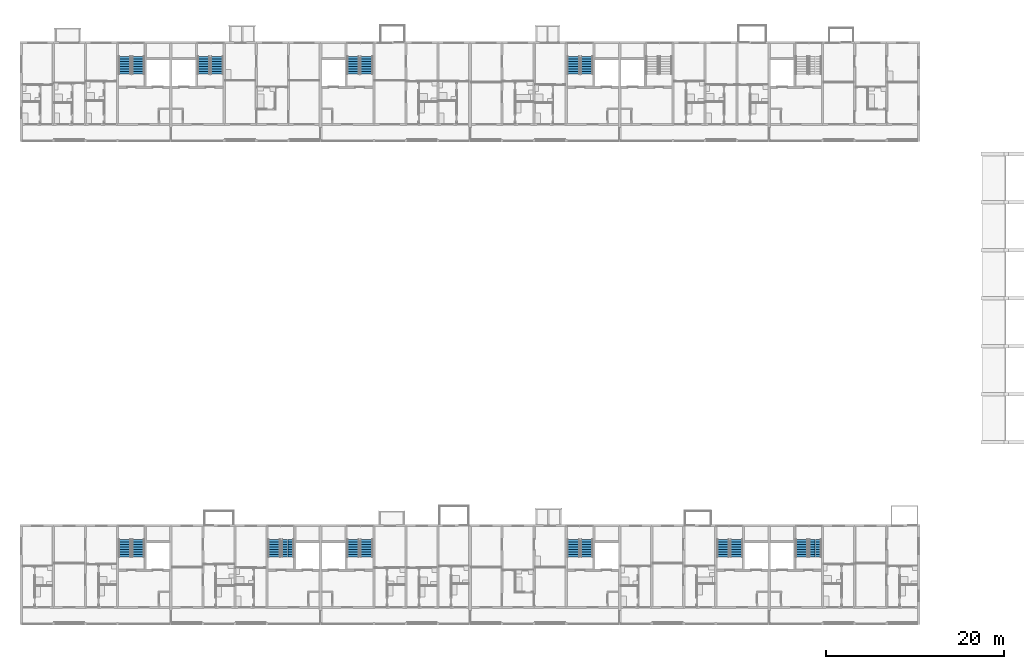
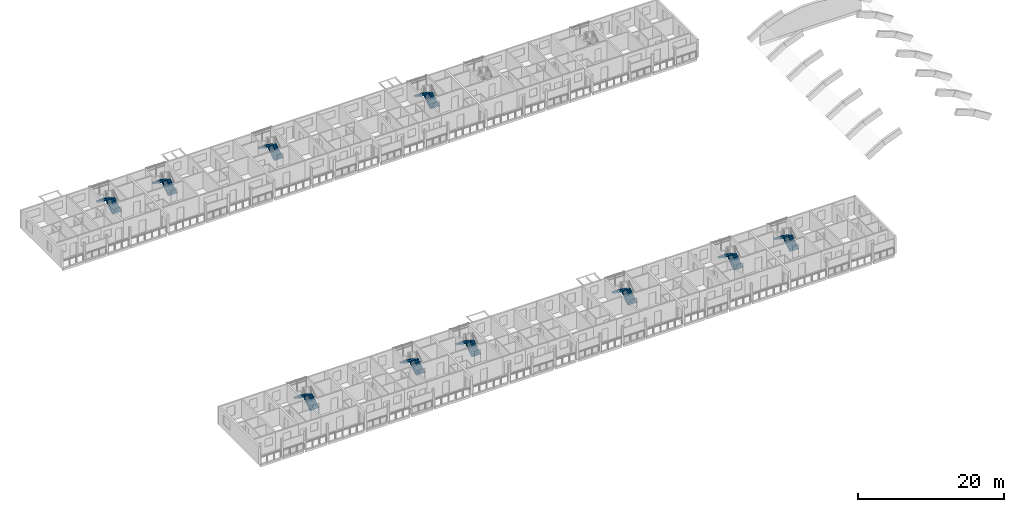
# One storey, part 60 of 99: 20 stair flights, 10 elements without a shape of their own.
"""IFC4 building model written with IfcOpenShell, lengths in metres."""

from ifc_helpers import new_model, si_unit, direction, frame, origin, place, context, subcontext, project, spatial, polyline, outline, extrude, material, type_object, element, aggregate, save


model = new_model("IFC4")

# Units and contexts
model_context = context("Model", 3, precision=1e-05, world=origin(), true_north=direction((0.0, 1.0)))
body_context = subcontext(model_context, "Body", "Model", "MODEL_VIEW")
ifc_project = project(units=[si_unit("LENGTHUNIT", "METRE"), si_unit("AREAUNIT", "SQUARE_METRE"), si_unit("VOLUMEUNIT", "CUBIC_METRE"), si_unit("PLANEANGLEUNIT", "RADIAN"), si_unit("MASSUNIT", "GRAM", prefix="KILO")], contexts=[model_context])

# Site, building, storey
site_placement = place(None, origin())
site = spatial("IfcSite", under=ifc_project, at=site_placement, CompositionType="ELEMENT")
building_placement = place(site_placement, origin())
building = spatial("IfcBuilding", under=site, at=building_placement, Name="Ridgestep Commons", CompositionType="ELEMENT")
storey_placement = place(building_placement, frame((0.0, 0.0, 15.0)))
storey = spatial("IfcBuildingStorey", under=building, at=storey_placement, Name="L05", CompositionType="ELEMENT", Elevation=15.0)

# Stair, stair flights
ifc_material_1 = material(Name="Precast concrete C40/50", Category="concrete")
stair_type = type_object("IfcStairType", Name="Escape stair 1400", PredefinedType="HALF_TURN_STAIR", material=ifc_material_1)
stair_1_placement = place(storey_placement, origin())
stair_1 = element("IfcStair", 1, at=stair_1_placement, inside=storey, type_object=stair_type, Name="L05 Escape stair A1C", PredefinedType="HALF_TURN_STAIR")
ifc_material_2 = material(Name="Precast concrete C40/50", Category="concrete")
stair_flight_type = type_object("IfcStairFlightType", Name="Stair flight 1400", PredefinedType="STRAIGHT", material=ifc_material_2)
stair_flight_1_placement = place(storey_placement, frame((25.125, 19.35009765625, 0.0), z_axis=(0.0, 0.0, 1.0), x_axis=(0.0, 1.0, 0.0)))
stair_flight_1 = element("IfcStairFlight", 2, at=stair_flight_1_placement, type_object=stair_flight_type, Name="A1C flight 1", NumberOfRisers=8, NumberOfTreads=7, PredefinedType="STRAIGHT", RiserHeight=0.1875, TreadLength=0.28, context=body_context, shape_type="SweptSolid", body=[
    extrude(outline(polyline([(0.0, 0.0), (0.0, 0.1875), (0.280029296875, 0.1875), (0.280029296875, 0.375), (0.56005859375, 0.375), (0.56005859375, 0.5625), (0.840087890625, 0.5625), (0.840087890625, 0.75), (1.1201171875, 0.75), (1.1201171875, 0.9375), (1.39990234375, 0.9375), (1.39990234375, 1.125), (1.679931640625, 1.125), (1.679931640625, 1.3125), (1.9599609375, 1.3125), (1.9599609375, 1.5), (1.9599609375, 1.132080078125), (0.26953125, 0.0), (0.0, 0.0)])), frame((0.0, 0.699951171875, 0.0), z_axis=(0.0, -1.0, 0.0), x_axis=(1.0, 0.0, 0.0)), (0.0, 0.0, 1.0), 0.695068359375),
    extrude(outline(polyline([(0.0, 0.0), (0.0, 0.1875), (0.280029296875, 0.1875), (0.280029296875, 0.375), (0.56005859375, 0.375), (0.56005859375, 0.5625), (0.840087890625, 0.5625), (0.840087890625, 0.75), (1.1201171875, 0.75), (1.1201171875, 0.9375), (1.39990234375, 0.9375), (1.39990234375, 1.125), (1.679931640625, 1.125), (1.679931640625, 1.3125), (1.9599609375, 1.3125), (1.9599609375, 1.5), (1.9599609375, 1.132080078125), (0.26953125, 0.0), (0.0, 0.0)])), frame((0.0, -0.0048828125, 0.0), z_axis=(0.0, -1.0, 0.0), x_axis=(1.0, 0.0, 0.0)), (0.0, 0.0, 1.0), 0.695068359375),
])
stair_flight_2_placement = place(storey_placement, frame((23.625, 21.31005859375, 1.5), z_axis=(0.0, 0.0, 1.0), x_axis=(0.0, -1.0, 0.0)))
stair_flight_2 = element("IfcStairFlight", 3, at=stair_flight_2_placement, type_object=stair_flight_type, Name="A1C flight 2", NumberOfRisers=8, NumberOfTreads=7, PredefinedType="STRAIGHT", RiserHeight=0.1875, TreadLength=0.28, context=body_context, shape_type="SweptSolid", body=[
    extrude(outline(polyline([(0.0, 0.0), (0.0, 0.1875), (0.280029296875, 0.1875), (0.280029296875, 0.375), (0.56005859375, 0.375), (0.56005859375, 0.5625), (0.840087890625, 0.5625), (0.840087890625, 0.75), (1.1201171875, 0.75), (1.1201171875, 0.9375), (1.39990234375, 0.9375), (1.39990234375, 1.125), (1.679931640625, 1.125), (1.679931640625, 1.3125), (1.9599609375, 1.3125), (1.9599609375, 1.5), (1.9599609375, 1.132080078125), (0.26953125, 0.0), (0.0, 0.0)])), frame((0.0, 0.699951171875, 0.0), z_axis=(0.0, -1.0, 0.0), x_axis=(1.0, 0.0, 0.0)), (0.0, 0.0, 1.0), 0.695068359375),
    extrude(outline(polyline([(0.0, 0.0), (0.0, 0.1875), (0.280029296875, 0.1875), (0.280029296875, 0.375), (0.56005859375, 0.375), (0.56005859375, 0.5625), (0.840087890625, 0.5625), (0.840087890625, 0.75), (1.1201171875, 0.75), (1.1201171875, 0.9375), (1.39990234375, 0.9375), (1.39990234375, 1.125), (1.679931640625, 1.125), (1.679931640625, 1.3125), (1.9599609375, 1.3125), (1.9599609375, 1.5), (1.9599609375, 1.132080078125), (0.26953125, 0.0), (0.0, 0.0)])), frame((0.0, -0.0048828125, 0.0), z_axis=(0.0, -1.0, 0.0), x_axis=(1.0, 0.0, 0.0)), (0.0, 0.0, 1.0), 0.695068359375),
])
aggregate(stair_1, [stair_flight_1, stair_flight_2])

stair_2_placement = place(storey_placement, origin())
stair_2 = element("IfcStair", 4, at=stair_2_placement, inside=storey, type_object=stair_type, Name="L05 Escape stair A2C", PredefinedType="HALF_TURN_STAIR")
stair_flight_3_placement = place(storey_placement, frame((41.925048828125, 19.35009765625, 0.0), z_axis=(0.0, 0.0, 1.0), x_axis=(0.0, 1.0, 0.0)))
stair_flight_3 = element("IfcStairFlight", 5, at=stair_flight_3_placement, type_object=stair_flight_type, Name="A2C flight 1", NumberOfRisers=8, NumberOfTreads=7, PredefinedType="STRAIGHT", RiserHeight=0.1875, TreadLength=0.28, context=body_context, shape_type="SweptSolid", body=[
    extrude(outline(polyline([(0.0, 0.0), (0.0, 0.1875), (0.280029296875, 0.1875), (0.280029296875, 0.375), (0.56005859375, 0.375), (0.56005859375, 0.5625), (0.840087890625, 0.5625), (0.840087890625, 0.75), (1.1201171875, 0.75), (1.1201171875, 0.9375), (1.39990234375, 0.9375), (1.39990234375, 1.125), (1.679931640625, 1.125), (1.679931640625, 1.3125), (1.9599609375, 1.3125), (1.9599609375, 1.5), (1.9599609375, 1.132080078125), (0.26953125, 0.0), (0.0, 0.0)])), frame((0.0, 0.699951171875, 0.0), z_axis=(0.0, -1.0, 0.0), x_axis=(1.0, 0.0, 0.0)), (0.0, 0.0, 1.0), 0.695068359375),
    extrude(outline(polyline([(0.0, 0.0), (0.0, 0.1875), (0.280029296875, 0.1875), (0.280029296875, 0.375), (0.56005859375, 0.375), (0.56005859375, 0.5625), (0.840087890625, 0.5625), (0.840087890625, 0.75), (1.1201171875, 0.75), (1.1201171875, 0.9375), (1.39990234375, 0.9375), (1.39990234375, 1.125), (1.679931640625, 1.125), (1.679931640625, 1.3125), (1.9599609375, 1.3125), (1.9599609375, 1.5), (1.9599609375, 1.132080078125), (0.26953125, 0.0), (0.0, 0.0)])), frame((0.0, -0.0048828125, 0.0), z_axis=(0.0, -1.0, 0.0), x_axis=(1.0, 0.0, 0.0)), (0.0, 0.0, 1.0), 0.695068359375),
])
stair_flight_4_placement = place(storey_placement, frame((40.425048828125, 21.31005859375, 1.5), z_axis=(0.0, 0.0, 1.0), x_axis=(0.0, -1.0, 0.0)))
stair_flight_4 = element("IfcStairFlight", 6, at=stair_flight_4_placement, type_object=stair_flight_type, Name="A2C flight 2", NumberOfRisers=8, NumberOfTreads=7, PredefinedType="STRAIGHT", RiserHeight=0.1875, TreadLength=0.28, context=body_context, shape_type="SweptSolid", body=[
    extrude(outline(polyline([(0.0, 0.0), (0.0, 0.1875), (0.280029296875, 0.1875), (0.280029296875, 0.375), (0.56005859375, 0.375), (0.56005859375, 0.5625), (0.840087890625, 0.5625), (0.840087890625, 0.75), (1.1201171875, 0.75), (1.1201171875, 0.9375), (1.39990234375, 0.9375), (1.39990234375, 1.125), (1.679931640625, 1.125), (1.679931640625, 1.3125), (1.9599609375, 1.3125), (1.9599609375, 1.5), (1.9599609375, 1.132080078125), (0.26953125, 0.0), (0.0, 0.0)])), frame((0.0, 0.699951171875, 0.0), z_axis=(0.0, -1.0, 0.0), x_axis=(1.0, 0.0, 0.0)), (0.0, 0.0, 1.0), 0.695068359375),
    extrude(outline(polyline([(0.0, 0.0), (0.0, 0.1875), (0.280029296875, 0.1875), (0.280029296875, 0.375), (0.56005859375, 0.375), (0.56005859375, 0.5625), (0.840087890625, 0.5625), (0.840087890625, 0.75), (1.1201171875, 0.75), (1.1201171875, 0.9375), (1.39990234375, 0.9375), (1.39990234375, 1.125), (1.679931640625, 1.125), (1.679931640625, 1.3125), (1.9599609375, 1.3125), (1.9599609375, 1.5), (1.9599609375, 1.132080078125), (0.26953125, 0.0), (0.0, 0.0)])), frame((0.0, -0.0048828125, 0.0), z_axis=(0.0, -1.0, 0.0), x_axis=(1.0, 0.0, 0.0)), (0.0, 0.0, 1.0), 0.695068359375),
])
aggregate(stair_2, [stair_flight_3, stair_flight_4])

stair_3_placement = place(storey_placement, origin())
stair_3 = element("IfcStair", 7, at=stair_3_placement, inside=storey, type_object=stair_type, Name="L05 Escape stair A3C", PredefinedType="HALF_TURN_STAIR")
stair_flight_5_placement = place(storey_placement, frame((50.77490234375, 19.35009765625, 0.0), z_axis=(0.0, 0.0, 1.0), x_axis=(0.0, 1.0, 0.0)))
stair_flight_5 = element("IfcStairFlight", 8, at=stair_flight_5_placement, type_object=stair_flight_type, Name="A3C flight 1", NumberOfRisers=8, NumberOfTreads=7, PredefinedType="STRAIGHT", RiserHeight=0.1875, TreadLength=0.28, context=body_context, shape_type="SweptSolid", body=[
    extrude(outline(polyline([(0.0, 0.0), (0.0, 0.1875), (0.280029296875, 0.1875), (0.280029296875, 0.375), (0.56005859375, 0.375), (0.56005859375, 0.5625), (0.840087890625, 0.5625), (0.840087890625, 0.75), (1.1201171875, 0.75), (1.1201171875, 0.9375), (1.39990234375, 0.9375), (1.39990234375, 1.125), (1.679931640625, 1.125), (1.679931640625, 1.3125), (1.9599609375, 1.3125), (1.9599609375, 1.5), (1.9599609375, 1.132080078125), (0.26953125, 0.0), (0.0, 0.0)])), frame((0.0, 0.699951171875, 0.0), z_axis=(0.0, -1.0, 0.0), x_axis=(1.0, 0.0, 0.0)), (0.0, 0.0, 1.0), 0.695068359375),
    extrude(outline(polyline([(0.0, 0.0), (0.0, 0.1875), (0.280029296875, 0.1875), (0.280029296875, 0.375), (0.56005859375, 0.375), (0.56005859375, 0.5625), (0.840087890625, 0.5625), (0.840087890625, 0.75), (1.1201171875, 0.75), (1.1201171875, 0.9375), (1.39990234375, 0.9375), (1.39990234375, 1.125), (1.679931640625, 1.125), (1.679931640625, 1.3125), (1.9599609375, 1.3125), (1.9599609375, 1.5), (1.9599609375, 1.132080078125), (0.26953125, 0.0), (0.0, 0.0)])), frame((0.0, -0.0048828125, 0.0), z_axis=(0.0, -1.0, 0.0), x_axis=(1.0, 0.0, 0.0)), (0.0, 0.0, 1.0), 0.695068359375),
])
stair_flight_6_placement = place(storey_placement, frame((49.27490234375, 21.31005859375, 1.5), z_axis=(0.0, 0.0, 1.0), x_axis=(0.0, -1.0, 0.0)))
stair_flight_6 = element("IfcStairFlight", 9, at=stair_flight_6_placement, type_object=stair_flight_type, Name="A3C flight 2", NumberOfRisers=8, NumberOfTreads=7, PredefinedType="STRAIGHT", RiserHeight=0.1875, TreadLength=0.28, context=body_context, shape_type="SweptSolid", body=[
    extrude(outline(polyline([(0.0, 0.0), (0.0, 0.1875), (0.280029296875, 0.1875), (0.280029296875, 0.375), (0.56005859375, 0.375), (0.56005859375, 0.5625), (0.840087890625, 0.5625), (0.840087890625, 0.75), (1.1201171875, 0.75), (1.1201171875, 0.9375), (1.39990234375, 0.9375), (1.39990234375, 1.125), (1.679931640625, 1.125), (1.679931640625, 1.3125), (1.9599609375, 1.3125), (1.9599609375, 1.5), (1.9599609375, 1.132080078125), (0.26953125, 0.0), (0.0, 0.0)])), frame((0.0, 0.699951171875, 0.0), z_axis=(0.0, -1.0, 0.0), x_axis=(1.0, 0.0, 0.0)), (0.0, 0.0, 1.0), 0.695068359375),
    extrude(outline(polyline([(0.0, 0.0), (0.0, 0.1875), (0.280029296875, 0.1875), (0.280029296875, 0.375), (0.56005859375, 0.375), (0.56005859375, 0.5625), (0.840087890625, 0.5625), (0.840087890625, 0.75), (1.1201171875, 0.75), (1.1201171875, 0.9375), (1.39990234375, 0.9375), (1.39990234375, 1.125), (1.679931640625, 1.125), (1.679931640625, 1.3125), (1.9599609375, 1.3125), (1.9599609375, 1.5), (1.9599609375, 1.132080078125), (0.26953125, 0.0), (0.0, 0.0)])), frame((0.0, -0.0048828125, 0.0), z_axis=(0.0, -1.0, 0.0), x_axis=(1.0, 0.0, 0.0)), (0.0, 0.0, 1.0), 0.695068359375),
])
aggregate(stair_3, [stair_flight_5, stair_flight_6])

stair_4_placement = place(storey_placement, origin())
stair_4 = element("IfcStair", 10, at=stair_4_placement, inside=storey, type_object=stair_type, Name="L05 Escape stair A4C", PredefinedType="HALF_TURN_STAIR")
stair_flight_7_placement = place(storey_placement, frame((75.52490234375, 19.35009765625, 0.0), z_axis=(0.0, 0.0, 1.0), x_axis=(0.0, 1.0, 0.0)))
stair_flight_7 = element("IfcStairFlight", 11, at=stair_flight_7_placement, type_object=stair_flight_type, Name="A4C flight 1", NumberOfRisers=8, NumberOfTreads=7, PredefinedType="STRAIGHT", RiserHeight=0.1875, TreadLength=0.28, context=body_context, shape_type="SweptSolid", body=[
    extrude(outline(polyline([(0.0, 0.0), (0.0, 0.1875), (0.280029296875, 0.1875), (0.280029296875, 0.375), (0.56005859375, 0.375), (0.56005859375, 0.5625), (0.840087890625, 0.5625), (0.840087890625, 0.75), (1.1201171875, 0.75), (1.1201171875, 0.9375), (1.39990234375, 0.9375), (1.39990234375, 1.125), (1.679931640625, 1.125), (1.679931640625, 1.3125), (1.9599609375, 1.3125), (1.9599609375, 1.5), (1.9599609375, 1.132080078125), (0.26953125, 0.0), (0.0, 0.0)])), frame((0.0, 0.699951171875, 0.0), z_axis=(0.0, -1.0, 0.0), x_axis=(1.0, 0.0, 0.0)), (0.0, 0.0, 1.0), 0.695068359375),
    extrude(outline(polyline([(0.0, 0.0), (0.0, 0.1875), (0.280029296875, 0.1875), (0.280029296875, 0.375), (0.56005859375, 0.375), (0.56005859375, 0.5625), (0.840087890625, 0.5625), (0.840087890625, 0.75), (1.1201171875, 0.75), (1.1201171875, 0.9375), (1.39990234375, 0.9375), (1.39990234375, 1.125), (1.679931640625, 1.125), (1.679931640625, 1.3125), (1.9599609375, 1.3125), (1.9599609375, 1.5), (1.9599609375, 1.132080078125), (0.26953125, 0.0), (0.0, 0.0)])), frame((0.0, -0.0048828125, 0.0), z_axis=(0.0, -1.0, 0.0), x_axis=(1.0, 0.0, 0.0)), (0.0, 0.0, 1.0), 0.695068359375),
])
stair_flight_8_placement = place(storey_placement, frame((74.02490234375, 21.31005859375, 1.5), z_axis=(0.0, 0.0, 1.0), x_axis=(0.0, -1.0, 0.0)))
stair_flight_8 = element("IfcStairFlight", 12, at=stair_flight_8_placement, type_object=stair_flight_type, Name="A4C flight 2", NumberOfRisers=8, NumberOfTreads=7, PredefinedType="STRAIGHT", RiserHeight=0.1875, TreadLength=0.28, context=body_context, shape_type="SweptSolid", body=[
    extrude(outline(polyline([(0.0, 0.0), (0.0, 0.1875), (0.280029296875, 0.1875), (0.280029296875, 0.375), (0.56005859375, 0.375), (0.56005859375, 0.5625), (0.840087890625, 0.5625), (0.840087890625, 0.75), (1.1201171875, 0.75), (1.1201171875, 0.9375), (1.39990234375, 0.9375), (1.39990234375, 1.125), (1.679931640625, 1.125), (1.679931640625, 1.3125), (1.9599609375, 1.3125), (1.9599609375, 1.5), (1.9599609375, 1.132080078125), (0.26953125, 0.0), (0.0, 0.0)])), frame((0.0, 0.699951171875, 0.0), z_axis=(0.0, -1.0, 0.0), x_axis=(1.0, 0.0, 0.0)), (0.0, 0.0, 1.0), 0.695068359375),
    extrude(outline(polyline([(0.0, 0.0), (0.0, 0.1875), (0.280029296875, 0.1875), (0.280029296875, 0.375), (0.56005859375, 0.375), (0.56005859375, 0.5625), (0.840087890625, 0.5625), (0.840087890625, 0.75), (1.1201171875, 0.75), (1.1201171875, 0.9375), (1.39990234375, 0.9375), (1.39990234375, 1.125), (1.679931640625, 1.125), (1.679931640625, 1.3125), (1.9599609375, 1.3125), (1.9599609375, 1.5), (1.9599609375, 1.132080078125), (0.26953125, 0.0), (0.0, 0.0)])), frame((0.0, -0.0048828125, 0.0), z_axis=(0.0, -1.0, 0.0), x_axis=(1.0, 0.0, 0.0)), (0.0, 0.0, 1.0), 0.695068359375),
])
aggregate(stair_4, [stair_flight_7, stair_flight_8])

stair_5_placement = place(storey_placement, origin())
stair_5 = element("IfcStair", 13, at=stair_5_placement, inside=storey, type_object=stair_type, Name="L05 Escape stair A5C", PredefinedType="HALF_TURN_STAIR")
stair_flight_9_placement = place(storey_placement, frame((92.324951171875, 19.35009765625, 0.0), z_axis=(0.0, 0.0, 1.0), x_axis=(0.0, 1.0, 0.0)))
stair_flight_9 = element("IfcStairFlight", 14, at=stair_flight_9_placement, type_object=stair_flight_type, Name="A5C flight 1", NumberOfRisers=8, NumberOfTreads=7, PredefinedType="STRAIGHT", RiserHeight=0.1875, TreadLength=0.28, context=body_context, shape_type="SweptSolid", body=[
    extrude(outline(polyline([(0.0, 0.0), (0.0, 0.1875), (0.280029296875, 0.1875), (0.280029296875, 0.375), (0.56005859375, 0.375), (0.56005859375, 0.5625), (0.840087890625, 0.5625), (0.840087890625, 0.75), (1.1201171875, 0.75), (1.1201171875, 0.9375), (1.39990234375, 0.9375), (1.39990234375, 1.125), (1.679931640625, 1.125), (1.679931640625, 1.3125), (1.9599609375, 1.3125), (1.9599609375, 1.5), (1.9599609375, 1.132080078125), (0.26953125, 0.0), (0.0, 0.0)])), frame((0.0, 0.699951171875, 0.0), z_axis=(0.0, -1.0, 0.0), x_axis=(1.0, 0.0, 0.0)), (0.0, 0.0, 1.0), 0.695068359375),
    extrude(outline(polyline([(0.0, 0.0), (0.0, 0.1875), (0.280029296875, 0.1875), (0.280029296875, 0.375), (0.56005859375, 0.375), (0.56005859375, 0.5625), (0.840087890625, 0.5625), (0.840087890625, 0.75), (1.1201171875, 0.75), (1.1201171875, 0.9375), (1.39990234375, 0.9375), (1.39990234375, 1.125), (1.679931640625, 1.125), (1.679931640625, 1.3125), (1.9599609375, 1.3125), (1.9599609375, 1.5), (1.9599609375, 1.132080078125), (0.26953125, 0.0), (0.0, 0.0)])), frame((0.0, -0.0048828125, 0.0), z_axis=(0.0, -1.0, 0.0), x_axis=(1.0, 0.0, 0.0)), (0.0, 0.0, 1.0), 0.695068359375),
])
stair_flight_10_placement = place(storey_placement, frame((90.824951171875, 21.31005859375, 1.5), z_axis=(0.0, 0.0, 1.0), x_axis=(0.0, -1.0, 0.0)))
stair_flight_10 = element("IfcStairFlight", 15, at=stair_flight_10_placement, type_object=stair_flight_type, Name="A5C flight 2", NumberOfRisers=8, NumberOfTreads=7, PredefinedType="STRAIGHT", RiserHeight=0.1875, TreadLength=0.28, context=body_context, shape_type="SweptSolid", body=[
    extrude(outline(polyline([(0.0, 0.0), (0.0, 0.1875), (0.280029296875, 0.1875), (0.280029296875, 0.375), (0.56005859375, 0.375), (0.56005859375, 0.5625), (0.840087890625, 0.5625), (0.840087890625, 0.75), (1.1201171875, 0.75), (1.1201171875, 0.9375), (1.39990234375, 0.9375), (1.39990234375, 1.125), (1.679931640625, 1.125), (1.679931640625, 1.3125), (1.9599609375, 1.3125), (1.9599609375, 1.5), (1.9599609375, 1.132080078125), (0.26953125, 0.0), (0.0, 0.0)])), frame((0.0, 0.699951171875, 0.0), z_axis=(0.0, -1.0, 0.0), x_axis=(1.0, 0.0, 0.0)), (0.0, 0.0, 1.0), 0.695068359375),
    extrude(outline(polyline([(0.0, 0.0), (0.0, 0.1875), (0.280029296875, 0.1875), (0.280029296875, 0.375), (0.56005859375, 0.375), (0.56005859375, 0.5625), (0.840087890625, 0.5625), (0.840087890625, 0.75), (1.1201171875, 0.75), (1.1201171875, 0.9375), (1.39990234375, 0.9375), (1.39990234375, 1.125), (1.679931640625, 1.125), (1.679931640625, 1.3125), (1.9599609375, 1.3125), (1.9599609375, 1.5), (1.9599609375, 1.132080078125), (0.26953125, 0.0), (0.0, 0.0)])), frame((0.0, -0.0048828125, 0.0), z_axis=(0.0, -1.0, 0.0), x_axis=(1.0, 0.0, 0.0)), (0.0, 0.0, 1.0), 0.695068359375),
])
aggregate(stair_5, [stair_flight_9, stair_flight_10])

stair_6_placement = place(storey_placement, origin())
stair_6 = element("IfcStair", 16, at=stair_6_placement, inside=storey, type_object=stair_type, Name="L05 Escape stair A6C", PredefinedType="HALF_TURN_STAIR")
stair_flight_11_placement = place(storey_placement, frame((101.175048828125, 19.35009765625, 0.0), z_axis=(0.0, 0.0, 1.0), x_axis=(0.0, 1.0, 0.0)))
stair_flight_11 = element("IfcStairFlight", 17, at=stair_flight_11_placement, type_object=stair_flight_type, Name="A6C flight 1", NumberOfRisers=8, NumberOfTreads=7, PredefinedType="STRAIGHT", RiserHeight=0.1875, TreadLength=0.28, context=body_context, shape_type="SweptSolid", body=[
    extrude(outline(polyline([(0.0, 0.0), (0.0, 0.1875), (0.280029296875, 0.1875), (0.280029296875, 0.375), (0.56005859375, 0.375), (0.56005859375, 0.5625), (0.840087890625, 0.5625), (0.840087890625, 0.75), (1.1201171875, 0.75), (1.1201171875, 0.9375), (1.39990234375, 0.9375), (1.39990234375, 1.125), (1.679931640625, 1.125), (1.679931640625, 1.3125), (1.9599609375, 1.3125), (1.9599609375, 1.5), (1.9599609375, 1.132080078125), (0.26953125, 0.0), (0.0, 0.0)])), frame((0.0, 0.699951171875, 0.0), z_axis=(0.0, -1.0, 0.0), x_axis=(1.0, 0.0, 0.0)), (0.0, 0.0, 1.0), 0.695068359375),
    extrude(outline(polyline([(0.0, 0.0), (0.0, 0.1875), (0.280029296875, 0.1875), (0.280029296875, 0.375), (0.56005859375, 0.375), (0.56005859375, 0.5625), (0.840087890625, 0.5625), (0.840087890625, 0.75), (1.1201171875, 0.75), (1.1201171875, 0.9375), (1.39990234375, 0.9375), (1.39990234375, 1.125), (1.679931640625, 1.125), (1.679931640625, 1.3125), (1.9599609375, 1.3125), (1.9599609375, 1.5), (1.9599609375, 1.132080078125), (0.26953125, 0.0), (0.0, 0.0)])), frame((0.0, -0.0048828125, 0.0), z_axis=(0.0, -1.0, 0.0), x_axis=(1.0, 0.0, 0.0)), (0.0, 0.0, 1.0), 0.695068359375),
])
stair_flight_12_placement = place(storey_placement, frame((99.675048828125, 21.31005859375, 1.5), z_axis=(0.0, 0.0, 1.0), x_axis=(0.0, -1.0, 0.0)))
stair_flight_12 = element("IfcStairFlight", 18, at=stair_flight_12_placement, type_object=stair_flight_type, Name="A6C flight 2", NumberOfRisers=8, NumberOfTreads=7, PredefinedType="STRAIGHT", RiserHeight=0.1875, TreadLength=0.28, context=body_context, shape_type="SweptSolid", body=[
    extrude(outline(polyline([(0.0, 0.0), (0.0, 0.1875), (0.280029296875, 0.1875), (0.280029296875, 0.375), (0.56005859375, 0.375), (0.56005859375, 0.5625), (0.840087890625, 0.5625), (0.840087890625, 0.75), (1.1201171875, 0.75), (1.1201171875, 0.9375), (1.39990234375, 0.9375), (1.39990234375, 1.125), (1.679931640625, 1.125), (1.679931640625, 1.3125), (1.9599609375, 1.3125), (1.9599609375, 1.5), (1.9599609375, 1.132080078125), (0.26953125, 0.0), (0.0, 0.0)])), frame((0.0, 0.699951171875, 0.0), z_axis=(0.0, -1.0, 0.0), x_axis=(1.0, 0.0, 0.0)), (0.0, 0.0, 1.0), 0.695068359375),
    extrude(outline(polyline([(0.0, 0.0), (0.0, 0.1875), (0.280029296875, 0.1875), (0.280029296875, 0.375), (0.56005859375, 0.375), (0.56005859375, 0.5625), (0.840087890625, 0.5625), (0.840087890625, 0.75), (1.1201171875, 0.75), (1.1201171875, 0.9375), (1.39990234375, 0.9375), (1.39990234375, 1.125), (1.679931640625, 1.125), (1.679931640625, 1.3125), (1.9599609375, 1.3125), (1.9599609375, 1.5), (1.9599609375, 1.132080078125), (0.26953125, 0.0), (0.0, 0.0)])), frame((0.0, -0.0048828125, 0.0), z_axis=(0.0, -1.0, 0.0), x_axis=(1.0, 0.0, 0.0)), (0.0, 0.0, 1.0), 0.695068359375),
])
aggregate(stair_6, [stair_flight_11, stair_flight_12])

stair_7_placement = place(storey_placement, origin())
stair_7 = element("IfcStair", 19, at=stair_7_placement, inside=storey, type_object=stair_type, Name="L05 Escape stair B1C", PredefinedType="HALF_TURN_STAIR")
stair_flight_13_placement = place(storey_placement, frame((25.125, 73.60009765625, 0.0), z_axis=(0.0, 0.0, 1.0), x_axis=(0.0, 1.0, 0.0)))
stair_flight_13 = element("IfcStairFlight", 20, at=stair_flight_13_placement, type_object=stair_flight_type, Name="B1C flight 1", NumberOfRisers=8, NumberOfTreads=7, PredefinedType="STRAIGHT", RiserHeight=0.1875, TreadLength=0.28, context=body_context, shape_type="SweptSolid", body=[
    extrude(outline(polyline([(0.0, 0.0), (0.0, 0.1875), (0.280029296875, 0.1875), (0.280029296875, 0.375), (0.56005859375, 0.375), (0.56005859375, 0.5625), (0.840087890625, 0.5625), (0.840087890625, 0.75), (1.1201171875, 0.75), (1.1201171875, 0.9375), (1.39990234375, 0.9375), (1.39990234375, 1.125), (1.679931640625, 1.125), (1.679931640625, 1.3125), (1.9599609375, 1.3125), (1.9599609375, 1.5), (1.9599609375, 1.132080078125), (0.26953125, 0.0), (0.0, 0.0)])), frame((0.0, 0.699951171875, 0.0), z_axis=(0.0, -1.0, 0.0), x_axis=(1.0, 0.0, 0.0)), (0.0, 0.0, 1.0), 0.695068359375),
    extrude(outline(polyline([(0.0, 0.0), (0.0, 0.1875), (0.280029296875, 0.1875), (0.280029296875, 0.375), (0.56005859375, 0.375), (0.56005859375, 0.5625), (0.840087890625, 0.5625), (0.840087890625, 0.75), (1.1201171875, 0.75), (1.1201171875, 0.9375), (1.39990234375, 0.9375), (1.39990234375, 1.125), (1.679931640625, 1.125), (1.679931640625, 1.3125), (1.9599609375, 1.3125), (1.9599609375, 1.5), (1.9599609375, 1.132080078125), (0.26953125, 0.0), (0.0, 0.0)])), frame((0.0, -0.0048828125, 0.0), z_axis=(0.0, -1.0, 0.0), x_axis=(1.0, 0.0, 0.0)), (0.0, 0.0, 1.0), 0.695068359375),
])
stair_flight_14_placement = place(storey_placement, frame((23.625, 75.56005859375, 1.5), z_axis=(0.0, 0.0, 1.0), x_axis=(0.0, -1.0, 0.0)))
stair_flight_14 = element("IfcStairFlight", 21, at=stair_flight_14_placement, type_object=stair_flight_type, Name="B1C flight 2", NumberOfRisers=8, NumberOfTreads=7, PredefinedType="STRAIGHT", RiserHeight=0.1875, TreadLength=0.28, context=body_context, shape_type="SweptSolid", body=[
    extrude(outline(polyline([(0.0, 0.0), (0.0, 0.1875), (0.280029296875, 0.1875), (0.280029296875, 0.375), (0.56005859375, 0.375), (0.56005859375, 0.5625), (0.840087890625, 0.5625), (0.840087890625, 0.75), (1.1201171875, 0.75), (1.1201171875, 0.9375), (1.39990234375, 0.9375), (1.39990234375, 1.125), (1.679931640625, 1.125), (1.679931640625, 1.3125), (1.9599609375, 1.3125), (1.9599609375, 1.5), (1.9599609375, 1.132080078125), (0.26953125, 0.0), (0.0, 0.0)])), frame((0.0, 0.699951171875, 0.0), z_axis=(0.0, -1.0, 0.0), x_axis=(1.0, 0.0, 0.0)), (0.0, 0.0, 1.0), 0.695068359375),
    extrude(outline(polyline([(0.0, 0.0), (0.0, 0.1875), (0.280029296875, 0.1875), (0.280029296875, 0.375), (0.56005859375, 0.375), (0.56005859375, 0.5625), (0.840087890625, 0.5625), (0.840087890625, 0.75), (1.1201171875, 0.75), (1.1201171875, 0.9375), (1.39990234375, 0.9375), (1.39990234375, 1.125), (1.679931640625, 1.125), (1.679931640625, 1.3125), (1.9599609375, 1.3125), (1.9599609375, 1.5), (1.9599609375, 1.132080078125), (0.26953125, 0.0), (0.0, 0.0)])), frame((0.0, -0.0048828125, 0.0), z_axis=(0.0, -1.0, 0.0), x_axis=(1.0, 0.0, 0.0)), (0.0, 0.0, 1.0), 0.695068359375),
])
aggregate(stair_7, [stair_flight_13, stair_flight_14])

stair_8_placement = place(storey_placement, origin())
stair_8 = element("IfcStair", 22, at=stair_8_placement, inside=storey, type_object=stair_type, Name="L05 Escape stair B2C", PredefinedType="HALF_TURN_STAIR")
stair_flight_15_placement = place(storey_placement, frame((33.97509765625, 73.60009765625, 0.0), z_axis=(0.0, 0.0, 1.0), x_axis=(0.0, 1.0, 0.0)))
stair_flight_15 = element("IfcStairFlight", 23, at=stair_flight_15_placement, type_object=stair_flight_type, Name="B2C flight 1", NumberOfRisers=8, NumberOfTreads=7, PredefinedType="STRAIGHT", RiserHeight=0.1875, TreadLength=0.28, context=body_context, shape_type="SweptSolid", body=[
    extrude(outline(polyline([(0.0, 0.0), (0.0, 0.1875), (0.280029296875, 0.1875), (0.280029296875, 0.375), (0.56005859375, 0.375), (0.56005859375, 0.5625), (0.840087890625, 0.5625), (0.840087890625, 0.75), (1.1201171875, 0.75), (1.1201171875, 0.9375), (1.39990234375, 0.9375), (1.39990234375, 1.125), (1.679931640625, 1.125), (1.679931640625, 1.3125), (1.9599609375, 1.3125), (1.9599609375, 1.5), (1.9599609375, 1.132080078125), (0.26953125, 0.0), (0.0, 0.0)])), frame((0.0, 0.699951171875, 0.0), z_axis=(0.0, -1.0, 0.0), x_axis=(1.0, 0.0, 0.0)), (0.0, 0.0, 1.0), 0.695068359375),
    extrude(outline(polyline([(0.0, 0.0), (0.0, 0.1875), (0.280029296875, 0.1875), (0.280029296875, 0.375), (0.56005859375, 0.375), (0.56005859375, 0.5625), (0.840087890625, 0.5625), (0.840087890625, 0.75), (1.1201171875, 0.75), (1.1201171875, 0.9375), (1.39990234375, 0.9375), (1.39990234375, 1.125), (1.679931640625, 1.125), (1.679931640625, 1.3125), (1.9599609375, 1.3125), (1.9599609375, 1.5), (1.9599609375, 1.132080078125), (0.26953125, 0.0), (0.0, 0.0)])), frame((0.0, -0.0048828125, 0.0), z_axis=(0.0, -1.0, 0.0), x_axis=(1.0, 0.0, 0.0)), (0.0, 0.0, 1.0), 0.695068359375),
])
stair_flight_16_placement = place(storey_placement, frame((32.47509765625, 75.56005859375, 1.5), z_axis=(0.0, 0.0, 1.0), x_axis=(0.0, -1.0, 0.0)))
stair_flight_16 = element("IfcStairFlight", 24, at=stair_flight_16_placement, type_object=stair_flight_type, Name="B2C flight 2", NumberOfRisers=8, NumberOfTreads=7, PredefinedType="STRAIGHT", RiserHeight=0.1875, TreadLength=0.28, context=body_context, shape_type="SweptSolid", body=[
    extrude(outline(polyline([(0.0, 0.0), (0.0, 0.1875), (0.280029296875, 0.1875), (0.280029296875, 0.375), (0.56005859375, 0.375), (0.56005859375, 0.5625), (0.840087890625, 0.5625), (0.840087890625, 0.75), (1.1201171875, 0.75), (1.1201171875, 0.9375), (1.39990234375, 0.9375), (1.39990234375, 1.125), (1.679931640625, 1.125), (1.679931640625, 1.3125), (1.9599609375, 1.3125), (1.9599609375, 1.5), (1.9599609375, 1.132080078125), (0.26953125, 0.0), (0.0, 0.0)])), frame((0.0, 0.699951171875, 0.0), z_axis=(0.0, -1.0, 0.0), x_axis=(1.0, 0.0, 0.0)), (0.0, 0.0, 1.0), 0.695068359375),
    extrude(outline(polyline([(0.0, 0.0), (0.0, 0.1875), (0.280029296875, 0.1875), (0.280029296875, 0.375), (0.56005859375, 0.375), (0.56005859375, 0.5625), (0.840087890625, 0.5625), (0.840087890625, 0.75), (1.1201171875, 0.75), (1.1201171875, 0.9375), (1.39990234375, 0.9375), (1.39990234375, 1.125), (1.679931640625, 1.125), (1.679931640625, 1.3125), (1.9599609375, 1.3125), (1.9599609375, 1.5), (1.9599609375, 1.132080078125), (0.26953125, 0.0), (0.0, 0.0)])), frame((0.0, -0.0048828125, 0.0), z_axis=(0.0, -1.0, 0.0), x_axis=(1.0, 0.0, 0.0)), (0.0, 0.0, 1.0), 0.695068359375),
])
aggregate(stair_8, [stair_flight_15, stair_flight_16])

stair_9_placement = place(storey_placement, origin())
stair_9 = element("IfcStair", 25, at=stair_9_placement, inside=storey, type_object=stair_type, Name="L05 Escape stair B3C", PredefinedType="HALF_TURN_STAIR")
stair_flight_17_placement = place(storey_placement, frame((50.77490234375, 73.60009765625, 0.0), z_axis=(0.0, 0.0, 1.0), x_axis=(0.0, 1.0, 0.0)))
stair_flight_17 = element("IfcStairFlight", 26, at=stair_flight_17_placement, type_object=stair_flight_type, Name="B3C flight 1", NumberOfRisers=8, NumberOfTreads=7, PredefinedType="STRAIGHT", RiserHeight=0.1875, TreadLength=0.28, context=body_context, shape_type="SweptSolid", body=[
    extrude(outline(polyline([(0.0, 0.0), (0.0, 0.1875), (0.280029296875, 0.1875), (0.280029296875, 0.375), (0.56005859375, 0.375), (0.56005859375, 0.5625), (0.840087890625, 0.5625), (0.840087890625, 0.75), (1.1201171875, 0.75), (1.1201171875, 0.9375), (1.39990234375, 0.9375), (1.39990234375, 1.125), (1.679931640625, 1.125), (1.679931640625, 1.3125), (1.9599609375, 1.3125), (1.9599609375, 1.5), (1.9599609375, 1.132080078125), (0.26953125, 0.0), (0.0, 0.0)])), frame((0.0, 0.699951171875, 0.0), z_axis=(0.0, -1.0, 0.0), x_axis=(1.0, 0.0, 0.0)), (0.0, 0.0, 1.0), 0.695068359375),
    extrude(outline(polyline([(0.0, 0.0), (0.0, 0.1875), (0.280029296875, 0.1875), (0.280029296875, 0.375), (0.56005859375, 0.375), (0.56005859375, 0.5625), (0.840087890625, 0.5625), (0.840087890625, 0.75), (1.1201171875, 0.75), (1.1201171875, 0.9375), (1.39990234375, 0.9375), (1.39990234375, 1.125), (1.679931640625, 1.125), (1.679931640625, 1.3125), (1.9599609375, 1.3125), (1.9599609375, 1.5), (1.9599609375, 1.132080078125), (0.26953125, 0.0), (0.0, 0.0)])), frame((0.0, -0.0048828125, 0.0), z_axis=(0.0, -1.0, 0.0), x_axis=(1.0, 0.0, 0.0)), (0.0, 0.0, 1.0), 0.695068359375),
])
stair_flight_18_placement = place(storey_placement, frame((49.27490234375, 75.56005859375, 1.5), z_axis=(0.0, 0.0, 1.0), x_axis=(0.0, -1.0, 0.0)))
stair_flight_18 = element("IfcStairFlight", 27, at=stair_flight_18_placement, type_object=stair_flight_type, Name="B3C flight 2", NumberOfRisers=8, NumberOfTreads=7, PredefinedType="STRAIGHT", RiserHeight=0.1875, TreadLength=0.28, context=body_context, shape_type="SweptSolid", body=[
    extrude(outline(polyline([(0.0, 0.0), (0.0, 0.1875), (0.280029296875, 0.1875), (0.280029296875, 0.375), (0.56005859375, 0.375), (0.56005859375, 0.5625), (0.840087890625, 0.5625), (0.840087890625, 0.75), (1.1201171875, 0.75), (1.1201171875, 0.9375), (1.39990234375, 0.9375), (1.39990234375, 1.125), (1.679931640625, 1.125), (1.679931640625, 1.3125), (1.9599609375, 1.3125), (1.9599609375, 1.5), (1.9599609375, 1.132080078125), (0.26953125, 0.0), (0.0, 0.0)])), frame((0.0, 0.699951171875, 0.0), z_axis=(0.0, -1.0, 0.0), x_axis=(1.0, 0.0, 0.0)), (0.0, 0.0, 1.0), 0.695068359375),
    extrude(outline(polyline([(0.0, 0.0), (0.0, 0.1875), (0.280029296875, 0.1875), (0.280029296875, 0.375), (0.56005859375, 0.375), (0.56005859375, 0.5625), (0.840087890625, 0.5625), (0.840087890625, 0.75), (1.1201171875, 0.75), (1.1201171875, 0.9375), (1.39990234375, 0.9375), (1.39990234375, 1.125), (1.679931640625, 1.125), (1.679931640625, 1.3125), (1.9599609375, 1.3125), (1.9599609375, 1.5), (1.9599609375, 1.132080078125), (0.26953125, 0.0), (0.0, 0.0)])), frame((0.0, -0.0048828125, 0.0), z_axis=(0.0, -1.0, 0.0), x_axis=(1.0, 0.0, 0.0)), (0.0, 0.0, 1.0), 0.695068359375),
])
aggregate(stair_9, [stair_flight_17, stair_flight_18])

stair_10_placement = place(storey_placement, origin())
stair_10 = element("IfcStair", 28, at=stair_10_placement, inside=storey, type_object=stair_type, Name="L05 Escape stair B4C", PredefinedType="HALF_TURN_STAIR")
stair_flight_19_placement = place(storey_placement, frame((75.52490234375, 73.60009765625, 0.0), z_axis=(0.0, 0.0, 1.0), x_axis=(0.0, 1.0, 0.0)))
stair_flight_19 = element("IfcStairFlight", 29, at=stair_flight_19_placement, type_object=stair_flight_type, Name="B4C flight 1", NumberOfRisers=8, NumberOfTreads=7, PredefinedType="STRAIGHT", RiserHeight=0.1875, TreadLength=0.28, context=body_context, shape_type="SweptSolid", body=[
    extrude(outline(polyline([(0.0, 0.0), (0.0, 0.1875), (0.280029296875, 0.1875), (0.280029296875, 0.375), (0.56005859375, 0.375), (0.56005859375, 0.5625), (0.840087890625, 0.5625), (0.840087890625, 0.75), (1.1201171875, 0.75), (1.1201171875, 0.9375), (1.39990234375, 0.9375), (1.39990234375, 1.125), (1.679931640625, 1.125), (1.679931640625, 1.3125), (1.9599609375, 1.3125), (1.9599609375, 1.5), (1.9599609375, 1.132080078125), (0.26953125, 0.0), (0.0, 0.0)])), frame((0.0, 0.699951171875, 0.0), z_axis=(0.0, -1.0, 0.0), x_axis=(1.0, 0.0, 0.0)), (0.0, 0.0, 1.0), 0.695068359375),
    extrude(outline(polyline([(0.0, 0.0), (0.0, 0.1875), (0.280029296875, 0.1875), (0.280029296875, 0.375), (0.56005859375, 0.375), (0.56005859375, 0.5625), (0.840087890625, 0.5625), (0.840087890625, 0.75), (1.1201171875, 0.75), (1.1201171875, 0.9375), (1.39990234375, 0.9375), (1.39990234375, 1.125), (1.679931640625, 1.125), (1.679931640625, 1.3125), (1.9599609375, 1.3125), (1.9599609375, 1.5), (1.9599609375, 1.132080078125), (0.26953125, 0.0), (0.0, 0.0)])), frame((0.0, -0.0048828125, 0.0), z_axis=(0.0, -1.0, 0.0), x_axis=(1.0, 0.0, 0.0)), (0.0, 0.0, 1.0), 0.695068359375),
])
stair_flight_20_placement = place(storey_placement, frame((74.02490234375, 75.56005859375, 1.5), z_axis=(0.0, 0.0, 1.0), x_axis=(0.0, -1.0, 0.0)))
stair_flight_20 = element("IfcStairFlight", 30, at=stair_flight_20_placement, type_object=stair_flight_type, Name="B4C flight 2", NumberOfRisers=8, NumberOfTreads=7, PredefinedType="STRAIGHT", RiserHeight=0.1875, TreadLength=0.28, context=body_context, shape_type="SweptSolid", body=[
    extrude(outline(polyline([(0.0, 0.0), (0.0, 0.1875), (0.280029296875, 0.1875), (0.280029296875, 0.375), (0.56005859375, 0.375), (0.56005859375, 0.5625), (0.840087890625, 0.5625), (0.840087890625, 0.75), (1.1201171875, 0.75), (1.1201171875, 0.9375), (1.39990234375, 0.9375), (1.39990234375, 1.125), (1.679931640625, 1.125), (1.679931640625, 1.3125), (1.9599609375, 1.3125), (1.9599609375, 1.5), (1.9599609375, 1.132080078125), (0.26953125, 0.0), (0.0, 0.0)])), frame((0.0, 0.699951171875, 0.0), z_axis=(0.0, -1.0, 0.0), x_axis=(1.0, 0.0, 0.0)), (0.0, 0.0, 1.0), 0.695068359375),
    extrude(outline(polyline([(0.0, 0.0), (0.0, 0.1875), (0.280029296875, 0.1875), (0.280029296875, 0.375), (0.56005859375, 0.375), (0.56005859375, 0.5625), (0.840087890625, 0.5625), (0.840087890625, 0.75), (1.1201171875, 0.75), (1.1201171875, 0.9375), (1.39990234375, 0.9375), (1.39990234375, 1.125), (1.679931640625, 1.125), (1.679931640625, 1.3125), (1.9599609375, 1.3125), (1.9599609375, 1.5), (1.9599609375, 1.132080078125), (0.26953125, 0.0), (0.0, 0.0)])), frame((0.0, -0.0048828125, 0.0), z_axis=(0.0, -1.0, 0.0), x_axis=(1.0, 0.0, 0.0)), (0.0, 0.0, 1.0), 0.695068359375),
])
aggregate(stair_10, [stair_flight_19, stair_flight_20])

save(model, "model.ifc")
